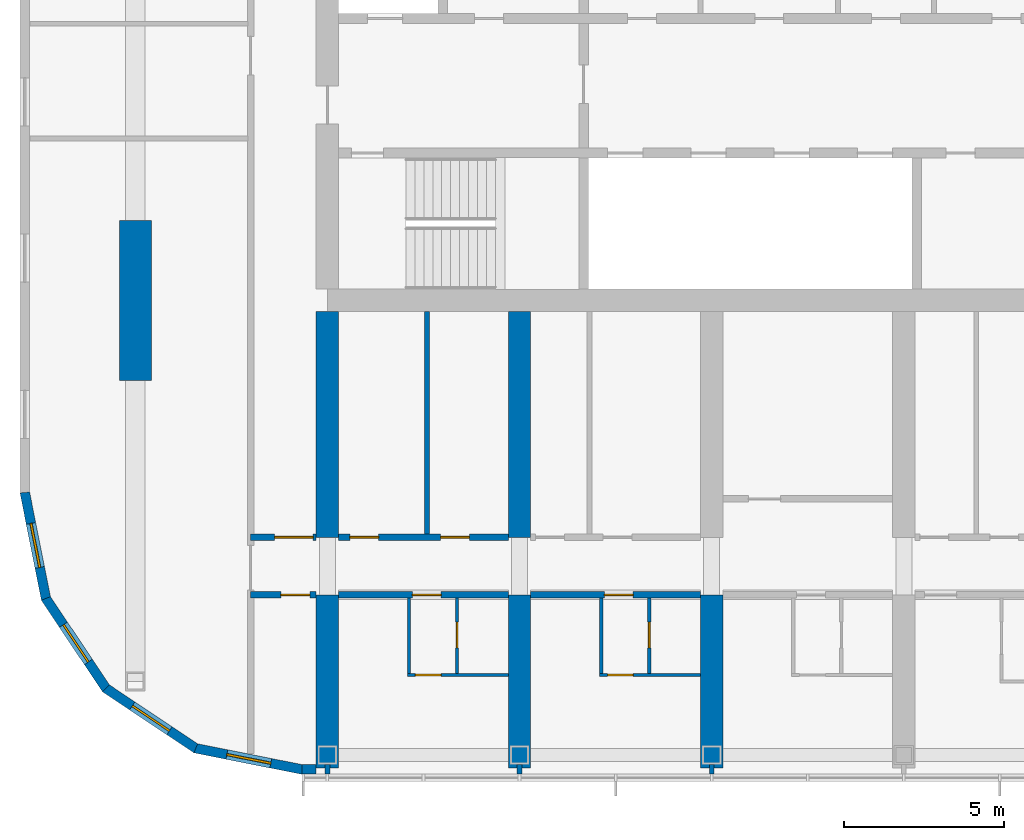
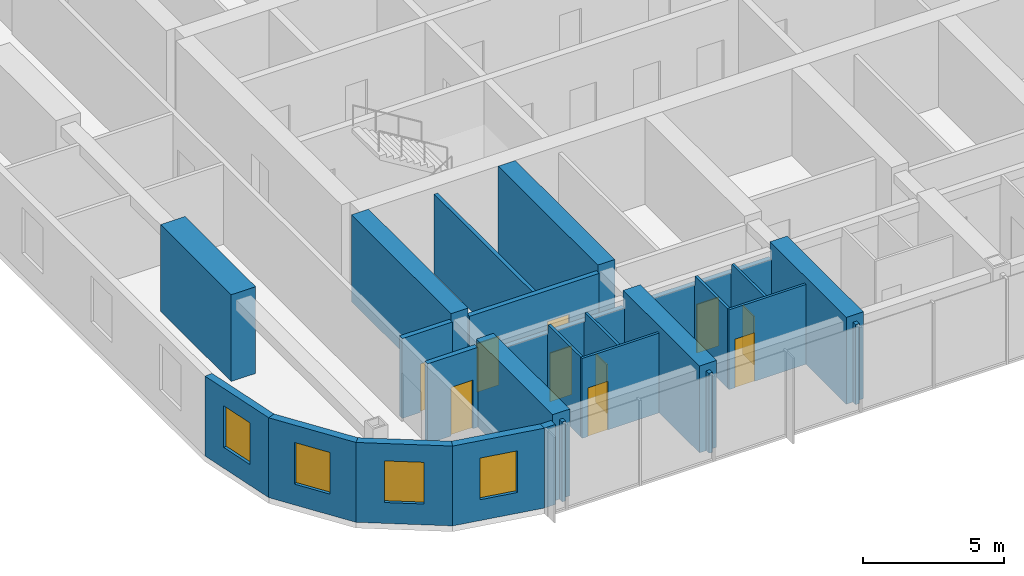
# One storey, part 10 of 23: 26 walls, 10 doors, 4 windows, 14 openings.
"""IFC4 building model written with IfcOpenShell, lengths in metres."""

from ifc_helpers import new_model, si_unit, direction, frame, frame_2d, origin, place, context, subcontext, project, spatial, polyline, rectangle, outline, extrude, material, layer, layer_set, type_object, element, fill, save


model = new_model("IFC4")

# Units and contexts
model_context = context("Model", 3, precision=1e-05, world=origin(), true_north=direction((0.0, 1.0)))
body_context = subcontext(model_context, "Body", "Model", "MODEL_VIEW")
ifc_project = project(units=[si_unit("LENGTHUNIT", "METRE"), si_unit("AREAUNIT", "SQUARE_METRE"), si_unit("VOLUMEUNIT", "CUBIC_METRE"), si_unit("PLANEANGLEUNIT", "RADIAN"), si_unit("MASSUNIT", "GRAM", prefix="KILO")], contexts=[model_context])

# Site, building, storey
site_placement = place(None, origin())
site = spatial("IfcSite", under=ifc_project, at=site_placement, CompositionType="ELEMENT")
building_placement = place(site_placement, origin())
building = spatial("IfcBuilding", under=site, at=building_placement, Name="Orbita Commons", CompositionType="ELEMENT")
storey_placement = place(building_placement, frame((0.0, 0.0, 254.050048828125)))
storey = spatial("IfcBuildingStorey", under=building, at=storey_placement, Name="L63", CompositionType="ELEMENT", Elevation=254.050048828125)

# Wall, opening, door
ifc_material_1 = material(Name="Concrete blockwork", Category="masonry")
ifc_layer_1 = layer(ifc_material_1, 0.199951171875)
ifc_layer_set_1 = layer_set([ifc_layer_1], Name="Concrete blockwork")
wall_type_1 = type_object("IfcWallType", Name="Corridor wall 200 blockwork", PredefinedType="SOLIDWALL", material=ifc_layer_set_1)
wall_1_placement = place(storey_placement, frame((15.60009765625, 16.60009765625, 0.0), z_axis=(0.0, 0.0, 1.0), x_axis=(1.0, 0.0, 0.0)))
wall_1 = element("IfcWall", 1, at=wall_1_placement, inside=storey, type_object=wall_type_1, Name="Corridor wall 200 blockwork L63", PredefinedType="SOLIDWALL", context=body_context, shape_type="SweptSolid", body=[
    extrude(rectangle(XDim=2.0498046875, YDim=0.199951171875, at=frame_2d((1.02490234375, 0.0))), origin(), (0.0, 0.0, 1.0), 3.449951171875),
])
opening_1_placement = place(wall_1_placement, frame((0.949951171875, 0.0, 0.0)))
opening_1 = element("IfcOpeningElement", 2, at=opening_1_placement, cuts=wall_1, Name="Opening D05", PredefinedType="OPENING", context=body_context, shape_type="SweptSolid", body=[
    extrude(rectangle(XDim=0.89990234375, YDim=2.10009765625, at=frame_2d((0.449951171875, 1.050048828125))), frame((0.0, 0.10986328125, 0.0), z_axis=(0.0, -1.0, 0.0), x_axis=(1.0, 0.0, 0.0)), (0.0, 0.0, 1.0), 0.219970703125),
])
ifc_material_2 = material(Name="Steel-faced fire door leaf", Category="steel")
door_type_1 = type_object("IfcDoorType", Name="Service door 20 min 900x2100", OperationType="SINGLE_SWING_LEFT", PredefinedType="DOOR", material=ifc_material_2)
door_1_placement = place(opening_1_placement, origin())
door_1 = element("IfcDoor", 3, at=door_1_placement, inside=storey, type_object=door_type_1, Name="Linen store L63-KWS door", OperationType="SINGLE_SWING_LEFT", OverallHeight=2.10009765625, OverallWidth=0.89990234375, PredefinedType="DOOR", context=body_context, shape_type="SweptSolid", body=[
    extrude(rectangle(XDim=0.89990234375, YDim=2.10009765625, at=frame_2d((0.449951171875, 1.050048828125))), frame((0.0, 0.02490234375, 0.0), z_axis=(0.0, -1.0, 0.0), x_axis=(1.0, 0.0, 0.0)), (0.0, 0.0, 1.0), 0.050048828125),
])
fill(opening_1, door_1)

wall_2_placement = place(storey_placement, frame((18.35009765625, 16.60009765625, 0.0), z_axis=(0.0, 0.0, 1.0), x_axis=(1.0, 0.0, 0.0)))
wall_2 = element("IfcWall", 4, at=wall_2_placement, inside=storey, type_object=wall_type_1, Name="Corridor wall 200 blockwork L63", PredefinedType="SOLIDWALL", context=body_context, shape_type="SweptSolid", body=[
    extrude(outline(polyline([(0.0, 0.0), (5.2998046875, 0.0), (5.300048828125, 3.050048828125), (0.0, 3.050048828125), (0.0, 0.0)])), frame((0.0, 0.10009765625, 0.0), z_axis=(0.0, -1.0, 0.0), x_axis=(1.0, 0.0, 0.0)), (0.0, 0.0, 1.0), 0.199951171875),
])
opening_2_placement = place(wall_2_placement, frame((2.300048828125, 0.0, 0.0)))
opening_2 = element("IfcOpeningElement", 5, at=opening_2_placement, cuts=wall_2, Name="Opening D11", PredefinedType="OPENING", context=body_context, shape_type="SweptSolid", body=[
    extrude(rectangle(XDim=0.89990234375, YDim=2.10009765625, at=frame_2d((0.449951171875, 1.050048828125))), frame((0.0, 0.10986328125, 0.0), z_axis=(0.0, -1.0, 0.0), x_axis=(1.0, 0.0, 0.0)), (0.0, 0.0, 1.0), 0.219970703125),
])
ifc_material_3 = material(Name="Steel-faced fire door leaf", Category="steel")
door_type_2 = type_object("IfcDoorType", Name="Corridor door 20 min 900x2100", OperationType="SINGLE_SWING_LEFT", PredefinedType="DOOR", material=ifc_material_3)
door_2_placement = place(opening_2_placement, origin())
door_2 = element("IfcDoor", 6, at=door_2_placement, inside=storey, type_object=door_type_2, Name="Studio flat L63-S00 entrance door", OperationType="SINGLE_SWING_LEFT", OverallHeight=2.10009765625, OverallWidth=0.89990234375, PredefinedType="DOOR", context=body_context, shape_type="SweptSolid", body=[
    extrude(rectangle(XDim=0.89990234375, YDim=2.10009765625, at=frame_2d((0.449951171875, 1.050048828125))), frame((0.0, 0.02490234375, 0.0), z_axis=(0.0, -1.0, 0.0), x_axis=(1.0, 0.0, 0.0)), (0.0, 0.0, 1.0), 0.050048828125),
])
fill(opening_2, door_2)

wall_3_placement = place(storey_placement, frame((24.35009765625, 16.60009765625, 0.0), z_axis=(0.0, 0.0, 1.0), x_axis=(1.0, 0.0, 0.0)))
wall_3 = element("IfcWall", 7, at=wall_3_placement, inside=storey, type_object=wall_type_1, Name="Corridor wall 200 blockwork L63", PredefinedType="SOLIDWALL", context=body_context, shape_type="SweptSolid", body=[
    extrude(outline(polyline([(0.0, 0.0), (5.2998046875, 0.0), (5.300048828125, 3.050048828125), (0.0, 3.050048828125), (0.0, 0.0)])), frame((0.0, 0.10009765625, 0.0), z_axis=(0.0, -1.0, 0.0), x_axis=(1.0, 0.0, 0.0)), (0.0, 0.0, 1.0), 0.199951171875),
])
opening_3_placement = place(wall_3_placement, frame((2.300048828125, 0.0, 0.0)))
opening_3 = element("IfcOpeningElement", 8, at=opening_3_placement, cuts=wall_3, Name="Opening D11", PredefinedType="OPENING", context=body_context, shape_type="SweptSolid", body=[
    extrude(rectangle(XDim=0.89990234375, YDim=2.10009765625, at=frame_2d((0.449951171875, 1.050048828125))), frame((0.0, 0.10986328125, 0.0), z_axis=(0.0, -1.0, 0.0), x_axis=(1.0, 0.0, 0.0)), (0.0, 0.0, 1.0), 0.219970703125),
])
door_3_placement = place(opening_3_placement, origin())
door_3 = element("IfcDoor", 9, at=door_3_placement, inside=storey, type_object=door_type_2, Name="Studio flat L63-S02 entrance door", OperationType="SINGLE_SWING_LEFT", OverallHeight=2.10009765625, OverallWidth=0.89990234375, PredefinedType="DOOR", context=body_context, shape_type="SweptSolid", body=[
    extrude(rectangle(XDim=0.89990234375, YDim=2.10009765625, at=frame_2d((0.449951171875, 1.050048828125))), frame((0.0, 0.02490234375, 0.0), z_axis=(0.0, -1.0, 0.0), x_axis=(1.0, 0.0, 0.0)), (0.0, 0.0, 1.0), 0.050048828125),
])
fill(opening_3, door_3)

ifc_material_4 = material(Name="Hollow concrete block 200", Category="concrete")
ifc_layer_2 = layer(ifc_material_4, 0.199951171875)
ifc_layer_set_2 = layer_set([ifc_layer_2], Name="Hollow concrete block 200")
wall_type_2 = type_object("IfcWallType", Name="Corridor wall 200 hollow concrete block", PredefinedType="SOLIDWALL", material=ifc_layer_set_2)
wall_4_placement = place(storey_placement, frame((15.60009765625, 18.39990234375, 0.0), z_axis=(0.0, 0.0, 1.0), x_axis=(1.0, 0.0, 0.0)))
wall_4 = element("IfcWall", 10, at=wall_4_placement, inside=storey, type_object=wall_type_2, Name="Corridor wall 200 hollow concrete block L63", PredefinedType="SOLIDWALL", context=body_context, shape_type="SweptSolid", body=[
    extrude(rectangle(XDim=2.0498046875, YDim=0.199951171875, at=frame_2d((1.02490234375, 0.0))), origin(), (0.0, 0.0, 1.0), 3.449951171875),
])
opening_4_placement = place(wall_4_placement, frame((0.75, 0.0, 0.0)))
opening_4 = element("IfcOpeningElement", 11, at=opening_4_placement, cuts=wall_4, Name="Opening D12", PredefinedType="OPENING", context=body_context, shape_type="SweptSolid", body=[
    extrude(rectangle(XDim=1.199951171875, YDim=2.10009765625, at=frame_2d((0.60009765625, 1.050048828125))), frame((0.0, 0.10986328125, 0.0), z_axis=(0.0, -1.0, 0.0), x_axis=(1.0, 0.0, 0.0)), (0.0, 0.0, 1.0), 0.219970703125),
])
ifc_material_5 = material(Name="Steel-faced fire door leaf", Category="steel")
door_type_3 = type_object("IfcDoorType", Name="Double corridor door 20 min 1200x2100", OperationType="DOUBLE_DOOR_SINGLE_SWING", PredefinedType="DOOR", material=ifc_material_5)
door_4_placement = place(opening_4_placement, origin())
door_4 = element("IfcDoor", 12, at=door_4_placement, inside=storey, type_object=door_type_3, Name="Cross corridor doors", OperationType="DOUBLE_DOOR_SINGLE_SWING", OverallHeight=2.10009765625, OverallWidth=1.199951171875, PredefinedType="DOOR", context=body_context, shape_type="SweptSolid", body=[
    extrude(rectangle(XDim=1.199951171875, YDim=2.10009765625, at=frame_2d((0.60009765625, 1.050048828125))), frame((0.0, 0.02490234375, 0.0), z_axis=(0.0, -1.0, 0.0), x_axis=(1.0, 0.0, 0.0)), (0.0, 0.0, 1.0), 0.050048828125),
])
fill(opening_4, door_4)

# Wall, openings, doors
wall_5_placement = place(storey_placement, frame((18.35009765625, 18.39990234375, 0.0), z_axis=(0.0, 0.0, 1.0), x_axis=(1.0, 0.0, 0.0)))
wall_5 = element("IfcWall", 13, at=wall_5_placement, inside=storey, type_object=wall_type_2, Name="Corridor wall 200 hollow concrete block L63", PredefinedType="SOLIDWALL", context=body_context, shape_type="SweptSolid", body=[
    extrude(rectangle(XDim=5.2998046875, YDim=0.199951171875, at=frame_2d((2.64990234375, 0.0))), origin(), (0.0, 0.0, 1.0), 3.449951171875),
])
opening_5_placement = place(wall_5_placement, frame((0.35009765625, 0.0, 0.0)))
opening_5 = element("IfcOpeningElement", 14, at=opening_5_placement, cuts=wall_5, Name="Opening D11", PredefinedType="OPENING", context=body_context, shape_type="SweptSolid", body=[
    extrude(rectangle(XDim=0.89990234375, YDim=2.10009765625, at=frame_2d((0.449951171875, 1.050048828125))), frame((0.0, 0.10986328125, 0.0), z_axis=(0.0, -1.0, 0.0), x_axis=(1.0, 0.0, 0.0)), (0.0, 0.0, 1.0), 0.219970703125),
])
opening_6_placement = place(wall_5_placement, frame((3.18505859375, 0.0, 0.0)))
opening_6 = element("IfcOpeningElement", 15, at=opening_6_placement, cuts=wall_5, Name="Opening D11", PredefinedType="OPENING", context=body_context, shape_type="SweptSolid", body=[
    extrude(rectangle(XDim=0.89990234375, YDim=2.10009765625, at=frame_2d((0.449951171875, 1.050048828125))), frame((0.0, 0.10986328125, 0.0), z_axis=(0.0, -1.0, 0.0), x_axis=(1.0, 0.0, 0.0)), (0.0, 0.0, 1.0), 0.219970703125),
])
door_5_placement = place(opening_5_placement, origin())
door_5 = element("IfcDoor", 16, at=door_5_placement, inside=storey, type_object=door_type_2, Name="Accessible WC and shower room L63-BDS18n door", OperationType="SINGLE_SWING_LEFT", OverallHeight=2.10009765625, OverallWidth=0.89990234375, PredefinedType="DOOR", context=body_context, shape_type="SweptSolid", body=[
    extrude(rectangle(XDim=0.89990234375, YDim=2.10009765625, at=frame_2d((0.449951171875, 1.050048828125))), frame((0.0, 0.02490234375, 0.0), z_axis=(0.0, -1.0, 0.0), x_axis=(1.0, 0.0, 0.0)), (0.0, 0.0, 1.0), 0.050048828125),
])
fill(opening_5, door_5)
door_6_placement = place(opening_6_placement, origin())
door_6 = element("IfcDoor", 17, at=door_6_placement, inside=storey, type_object=door_type_2, Name="Meeting room L63-BDS18 door", OperationType="SINGLE_SWING_LEFT", OverallHeight=2.10009765625, OverallWidth=0.89990234375, PredefinedType="DOOR", context=body_context, shape_type="SweptSolid", body=[
    extrude(rectangle(XDim=0.89990234375, YDim=2.10009765625, at=frame_2d((0.449951171875, 1.050048828125))), frame((0.0, 0.02490234375, 0.0), z_axis=(0.0, -1.0, 0.0), x_axis=(1.0, 0.0, 0.0)), (0.0, 0.0, 1.0), 0.050048828125),
])
fill(opening_6, door_6)

# Walls
ifc_material_6 = material(Name="Concrete C50/60", Category="concrete")
ifc_layer_3 = layer(ifc_material_6, 0.699951171875)
ifc_layer_set_3 = layer_set([ifc_layer_3], Name="Concrete C50/60")
wall_type_3 = type_object("IfcWallType", Name="Cross wall 700 C50/60", PredefinedType="SHEAR", material=ifc_layer_set_3)
wall_6_placement = place(storey_placement, frame((18.0, 11.199951171875, 0.0), z_axis=(0.0, 0.0, 1.0), x_axis=(0.0, 1.0, 0.0)))
element("IfcWall", 18, at=wall_6_placement, inside=storey, type_object=wall_type_3, Name="Cross wall 4 south outer L63", PredefinedType="SHEAR", context=body_context, shape_type="SweptSolid", body=[
    extrude(rectangle(XDim=5.400146484375, YDim=0.699951171875, at=frame_2d((2.7001953125, 0.0))), origin(), (0.0, 0.0, 1.0), 3.75),
])
wall_7_placement = place(storey_placement, frame((18.0, 18.39990234375, 0.0), z_axis=(0.0, 0.0, 1.0), x_axis=(0.0, 1.0, 0.0)))
element("IfcWall", 19, at=wall_7_placement, inside=storey, type_object=wall_type_3, Name="Cross wall 4 south inner L63", PredefinedType="SHEAR", context=body_context, shape_type="SweptSolid", body=[
    extrude(rectangle(XDim=7.050048828125, YDim=0.699951171875, at=frame_2d((3.52490234375, 0.0))), origin(), (0.0, 0.0, 1.0), 3.75),
])
wall_8_placement = place(storey_placement, frame((24.0, 11.199951171875, 0.0), z_axis=(0.0, 0.0, 1.0), x_axis=(0.0, 1.0, 0.0)))
element("IfcWall", 20, at=wall_8_placement, inside=storey, type_object=wall_type_3, Name="Cross wall 5 south outer L63", PredefinedType="SHEAR", context=body_context, shape_type="SweptSolid", body=[
    extrude(rectangle(XDim=5.400146484375, YDim=0.699951171875, at=frame_2d((2.7001953125, 0.0))), origin(), (0.0, 0.0, 1.0), 3.75),
])
wall_9_placement = place(storey_placement, frame((24.0, 18.39990234375, 0.0), z_axis=(0.0, 0.0, 1.0), x_axis=(0.0, 1.0, 0.0)))
element("IfcWall", 21, at=wall_9_placement, inside=storey, type_object=wall_type_3, Name="Cross wall 5 south inner L63", PredefinedType="SHEAR", context=body_context, shape_type="SweptSolid", body=[
    extrude(rectangle(XDim=7.050048828125, YDim=0.699951171875, at=frame_2d((3.52490234375, 0.0))), origin(), (0.0, 0.0, 1.0), 3.75),
])
wall_10_placement = place(storey_placement, frame((30.0, 11.199951171875, 0.0), z_axis=(0.0, 0.0, 1.0), x_axis=(0.0, 1.0, 0.0)))
element("IfcWall", 22, at=wall_10_placement, inside=storey, type_object=wall_type_3, Name="Cross wall 6 south outer L63", PredefinedType="SHEAR", context=body_context, shape_type="SweptSolid", body=[
    extrude(rectangle(XDim=5.400146484375, YDim=0.699951171875, at=frame_2d((2.7001953125, 0.0))), origin(), (0.0, 0.0, 1.0), 3.75),
])

# Wall, opening, door
ifc_material_7 = material(Name="Moisture-resistant plasterboard on steel studs", Category="steel")
ifc_layer_4 = layer(ifc_material_7, 0.10009765625)
ifc_layer_set_4 = layer_set([ifc_layer_4], Name="Moisture-resistant plasterboard on steel studs")
wall_type_4 = type_object("IfcWallType", Name="En-suite partition 100", PredefinedType="PARTITIONING", material=ifc_layer_set_4)
wall_11_placement = place(storey_placement, frame((23.64990234375, 14.10009765625, 0.0), z_axis=(0.0, 0.0, 1.0), x_axis=(-1.0, 0.0, 0.0)))
wall_11 = element("IfcWall", 23, at=wall_11_placement, inside=storey, type_object=wall_type_4, Name="En-suite partition 100 L63", PredefinedType="PARTITIONING", context=body_context, shape_type="SweptSolid", body=[
    extrude(rectangle(XDim=3.14990234375, YDim=0.10009765625, at=frame_2d((1.574951171875, 0.0))), origin(), (0.0, 0.0, 1.0), 3.449951171875),
])
opening_7_placement = place(wall_11_placement, frame((2.10009765625, 0.0, 0.0)))
opening_7 = element("IfcOpeningElement", 24, at=opening_7_placement, cuts=wall_11, Name="Opening D16", PredefinedType="OPENING", context=body_context, shape_type="SweptSolid", body=[
    extrude(rectangle(XDim=0.800048828125, YDim=2.10009765625, at=frame_2d((0.39990234375, 1.050048828125))), frame((0.0, 0.06005859375, 0.0), z_axis=(0.0, -1.0, 0.0), x_axis=(1.0, 0.0, 0.0)), (0.0, 0.0, 1.0), 0.1201171875),
])
ifc_material_8 = material(Name="Laminated timber door leaf", Category="wood")
door_type_4 = type_object("IfcDoorType", Name="En-suite door 800x2100", OperationType="SINGLE_SWING_RIGHT", PredefinedType="DOOR", material=ifc_material_8)
door_7_placement = place(opening_7_placement, origin())
door_7 = element("IfcDoor", 25, at=door_7_placement, inside=storey, type_object=door_type_4, Name="Studio flat L63-S00 door", OperationType="SINGLE_SWING_RIGHT", OverallHeight=2.10009765625, OverallWidth=0.800048828125, PredefinedType="DOOR", context=body_context, shape_type="SweptSolid", body=[
    extrude(rectangle(XDim=0.800048828125, YDim=2.10009765625, at=frame_2d((0.39990234375, 1.050048828125))), frame((0.0, 0.02490234375, 0.0), z_axis=(0.0, -1.0, 0.0), x_axis=(1.0, 0.0, 0.0)), (0.0, 0.0, 1.0), 0.050048828125),
])
fill(opening_7, door_7)

# Wall
wall_12_placement = place(storey_placement, frame((20.550048828125, 14.14990234375, 0.0), z_axis=(0.0, 0.0, 1.0), x_axis=(0.0, 1.0, 0.0)))
element("IfcWall", 26, at=wall_12_placement, inside=storey, type_object=wall_type_4, Name="En-suite partition 100 L63", PredefinedType="PARTITIONING", context=body_context, shape_type="SweptSolid", body=[
    extrude(outline(polyline([(0.0, 0.0), (2.35009765625, 0.0), (2.35009765625, 3.050048828125), (2.302001953125, 3.050048828125), (2.300048828125, 3.449951171875), (0.0, 3.449951171875), (0.0, 0.0)])), frame((0.0, 0.050048828125, 0.0), z_axis=(0.0, -1.0, 0.0), x_axis=(1.0, 0.0, 0.0)), (0.0, 0.0, 1.0), 0.10009765625),
])

# Wall, opening, door
wall_13_placement = place(storey_placement, frame((22.050048828125, 14.14990234375, 0.0), z_axis=(0.0, 0.0, 1.0), x_axis=(0.0, 1.0, 0.0)))
wall_13 = element("IfcWall", 27, at=wall_13_placement, inside=storey, type_object=wall_type_4, Name="En-suite partition 100 L63", PredefinedType="PARTITIONING", context=body_context, shape_type="SweptSolid", body=[
    extrude(outline(polyline([(0.0, 0.0), (2.35009765625, 0.0), (2.35009765625, 3.050048828125), (2.302001953125, 3.050048828125), (2.300048828125, 3.449951171875), (0.0, 3.449951171875), (0.0, 0.0)])), frame((0.0, 0.050048828125, 0.0), z_axis=(0.0, -1.0, 0.0), x_axis=(1.0, 0.0, 0.0)), (0.0, 0.0, 1.0), 0.10009765625),
])
opening_8_placement = place(wall_13_placement, frame((0.800048828125, 0.0, 0.0)))
opening_8 = element("IfcOpeningElement", 28, at=opening_8_placement, cuts=wall_13, Name="Opening D16", PredefinedType="OPENING", context=body_context, shape_type="SweptSolid", body=[
    extrude(rectangle(XDim=0.800048828125, YDim=2.10009765625, at=frame_2d((0.39990234375, 1.050048828125))), frame((0.0, 0.06005859375, 0.0), z_axis=(0.0, -1.0, 0.0), x_axis=(1.0, 0.0, 0.0)), (0.0, 0.0, 1.0), 0.1201171875),
])
door_8_placement = place(opening_8_placement, origin())
door_8 = element("IfcDoor", 29, at=door_8_placement, inside=storey, type_object=door_type_4, Name="Studio flat shower room L63-S00 door", OperationType="SINGLE_SWING_RIGHT", OverallHeight=2.10009765625, OverallWidth=0.800048828125, PredefinedType="DOOR", context=body_context, shape_type="SweptSolid", body=[
    extrude(rectangle(XDim=0.800048828125, YDim=2.10009765625, at=frame_2d((0.39990234375, 1.050048828125))), frame((0.0, 0.02490234375, 0.0), z_axis=(0.0, -1.0, 0.0), x_axis=(1.0, 0.0, 0.0)), (0.0, 0.0, 1.0), 0.050048828125),
])
fill(opening_8, door_8)

wall_14_placement = place(storey_placement, frame((29.64990234375, 14.10009765625, 0.0), z_axis=(0.0, 0.0, 1.0), x_axis=(-1.0, 0.0, 0.0)))
wall_14 = element("IfcWall", 30, at=wall_14_placement, inside=storey, type_object=wall_type_4, Name="En-suite partition 100 L63", PredefinedType="PARTITIONING", context=body_context, shape_type="SweptSolid", body=[
    extrude(rectangle(XDim=3.14990234375, YDim=0.10009765625, at=frame_2d((1.574951171875, 0.0))), origin(), (0.0, 0.0, 1.0), 3.449951171875),
])
opening_9_placement = place(wall_14_placement, frame((2.10009765625, 0.0, 0.0)))
opening_9 = element("IfcOpeningElement", 31, at=opening_9_placement, cuts=wall_14, Name="Opening D16", PredefinedType="OPENING", context=body_context, shape_type="SweptSolid", body=[
    extrude(rectangle(XDim=0.800048828125, YDim=2.10009765625, at=frame_2d((0.39990234375, 1.050048828125))), frame((0.0, 0.06005859375, 0.0), z_axis=(0.0, -1.0, 0.0), x_axis=(1.0, 0.0, 0.0)), (0.0, 0.0, 1.0), 0.1201171875),
])
door_9_placement = place(opening_9_placement, origin())
door_9 = element("IfcDoor", 32, at=door_9_placement, inside=storey, type_object=door_type_4, Name="Studio flat L63-S02 door", OperationType="SINGLE_SWING_RIGHT", OverallHeight=2.10009765625, OverallWidth=0.800048828125, PredefinedType="DOOR", context=body_context, shape_type="SweptSolid", body=[
    extrude(rectangle(XDim=0.800048828125, YDim=2.10009765625, at=frame_2d((0.39990234375, 1.050048828125))), frame((0.0, 0.02490234375, 0.0), z_axis=(0.0, -1.0, 0.0), x_axis=(1.0, 0.0, 0.0)), (0.0, 0.0, 1.0), 0.050048828125),
])
fill(opening_9, door_9)

# Wall
wall_15_placement = place(storey_placement, frame((26.550048828125, 14.14990234375, 0.0), z_axis=(0.0, 0.0, 1.0), x_axis=(0.0, 1.0, 0.0)))
element("IfcWall", 33, at=wall_15_placement, inside=storey, type_object=wall_type_4, Name="En-suite partition 100 L63", PredefinedType="PARTITIONING", context=body_context, shape_type="SweptSolid", body=[
    extrude(outline(polyline([(0.0, 0.0), (2.35009765625, 0.0), (2.35009765625, 3.050048828125), (2.302001953125, 3.050048828125), (2.300048828125, 3.449951171875), (0.0, 3.449951171875), (0.0, 0.0)])), frame((0.0, 0.050048828125, 0.0), z_axis=(0.0, -1.0, 0.0), x_axis=(1.0, 0.0, 0.0)), (0.0, 0.0, 1.0), 0.10009765625),
])

# Wall, opening, door
wall_16_placement = place(storey_placement, frame((28.050048828125, 14.14990234375, 0.0), z_axis=(0.0, 0.0, 1.0), x_axis=(0.0, 1.0, 0.0)))
wall_16 = element("IfcWall", 34, at=wall_16_placement, inside=storey, type_object=wall_type_4, Name="En-suite partition 100 L63", PredefinedType="PARTITIONING", context=body_context, shape_type="SweptSolid", body=[
    extrude(outline(polyline([(0.0, 0.0), (2.35009765625, 0.0), (2.35009765625, 3.050048828125), (2.302001953125, 3.050048828125), (2.300048828125, 3.449951171875), (0.0, 3.449951171875), (0.0, 0.0)])), frame((0.0, 0.050048828125, 0.0), z_axis=(0.0, -1.0, 0.0), x_axis=(1.0, 0.0, 0.0)), (0.0, 0.0, 1.0), 0.10009765625),
])
opening_10_placement = place(wall_16_placement, frame((0.800048828125, 0.0, 0.0)))
opening_10 = element("IfcOpeningElement", 35, at=opening_10_placement, cuts=wall_16, Name="Opening D16", PredefinedType="OPENING", context=body_context, shape_type="SweptSolid", body=[
    extrude(rectangle(XDim=0.800048828125, YDim=2.10009765625, at=frame_2d((0.39990234375, 1.050048828125))), frame((0.0, 0.06005859375, 0.0), z_axis=(0.0, -1.0, 0.0), x_axis=(1.0, 0.0, 0.0)), (0.0, 0.0, 1.0), 0.1201171875),
])
door_10_placement = place(opening_10_placement, origin())
door_10 = element("IfcDoor", 36, at=door_10_placement, inside=storey, type_object=door_type_4, Name="Studio flat shower room L63-S02 door", OperationType="SINGLE_SWING_RIGHT", OverallHeight=2.10009765625, OverallWidth=0.800048828125, PredefinedType="DOOR", context=body_context, shape_type="SweptSolid", body=[
    extrude(rectangle(XDim=0.800048828125, YDim=2.10009765625, at=frame_2d((0.39990234375, 1.050048828125))), frame((0.0, 0.02490234375, 0.0), z_axis=(0.0, -1.0, 0.0), x_axis=(1.0, 0.0, 0.0)), (0.0, 0.0, 1.0), 0.050048828125),
])
fill(opening_10, door_10)

# Walls
ifc_material_9 = material(Name="Concrete C50/60", Category="concrete")
ifc_layer_5 = layer(ifc_material_9, 1.0)
ifc_layer_set_5 = layer_set([ifc_layer_5], Name="Concrete C50/60")
wall_type_5 = type_object("IfcWallType", Name="End pier 1000x5000 C50/60", PredefinedType="SHEAR", material=ifc_layer_set_5)
wall_17_placement = place(storey_placement, frame((12.0, 23.300048828125, 0.0), z_axis=(0.0, 0.0, 1.0), x_axis=(0.0, 1.0, 0.0)))
element("IfcWall", 37, at=wall_17_placement, inside=storey, type_object=wall_type_5, Name="End pier 3/C L63", PredefinedType="SHEAR", context=body_context, shape_type="SweptSolid", body=[
    extrude(rectangle(XDim=5.0, YDim=1.0, at=frame_2d((2.5, 0.0))), origin(), (0.0, 0.0, 1.0), 3.75),
])
ifc_material_10 = material(Name="Gypsum plasterboard on steel studs", Category="steel")
ifc_layer_6 = layer(ifc_material_10, 0.14990234375)
ifc_layer_set_6 = layer_set([ifc_layer_6], Name="Gypsum plasterboard on steel studs")
wall_type_6 = type_object("IfcWallType", Name="Partition 150 plasterboard", PredefinedType="PARTITIONING", material=ifc_layer_set_6)
wall_18_placement = place(storey_placement, frame((21.110107421875, 18.5, 0.0), z_axis=(0.0, 0.0, 1.0), x_axis=(0.0, 1.0, 0.0)))
element("IfcWall", 38, at=wall_18_placement, inside=storey, type_object=wall_type_6, Name="Partition 150 plasterboard L63", PredefinedType="PARTITIONING", context=body_context, shape_type="SweptSolid", body=[
    extrude(rectangle(XDim=6.949951171875, YDim=0.14990234375, at=frame_2d((3.47509765625, 0.0))), origin(), (0.0, 0.0, 1.0), 3.449951171875),
])
for number, where, z_axis, x_axis, name in (
    (39, (18.0, 11.300048828125, 0.0), (0.0, 0.0, 1.0), (0.0, -1.0, 0.0), "Partition 150 plasterboard L63"),
    (40, (24.0, 11.300048828125, 0.0), (0.0, 0.0, 1.0), (0.0, -1.0, 0.0), "Partition 150 plasterboard L63"),
    (41, (30.0, 11.300048828125, 0.0), (0.0, 0.0, 1.0), (0.0, -1.0, 0.0), "Partition 150 plasterboard L63"),
):
    element("IfcWall", number, at=place(storey_placement, frame(where, z_axis=z_axis, x_axis=x_axis)), inside=storey, type_object=wall_type_6, Name=name, PredefinedType="PARTITIONING", context=body_context, shape_type="SweptSolid", body=[
        extrude(rectangle(XDim=0.2900390625, YDim=0.14990234375, at=frame_2d((0.14501953125, 0.0))), origin(), (0.0, 0.0, 1.0), 3.449951171875),
    ])

# Wall, opening, window
ifc_material_11 = material(Name="Precast concrete C40/50, white board-marked finish", Category="concrete")
ifc_layer_7 = layer(ifc_material_11, 0.300048828125)
ifc_layer_set_7 = layer_set([ifc_layer_7], Name="Precast concrete C40/50, white board-marked finish")
wall_type_7 = type_object("IfcWallType", Name="Precast concrete end shield 300", PredefinedType="SOLIDWALL", material=ifc_layer_set_7)
wall_19_placement = place(storey_placement, frame((8.550048828125, 19.800048828125, 0.0), z_axis=(0.0, 0.0, 1.0), x_axis=(0.19508664885, -0.980786011034, 0.0)))
wall_19 = element("IfcWall", 42, at=wall_19_placement, inside=storey, type_object=wall_type_7, Name="End shield SW chord 1 L63", PredefinedType="SOLIDWALL", context=body_context, shape_type="SweptSolid", body=[
    extrude(outline(polyline([(-0.014892578125, -0.14990234375), (3.405029296875, -0.14990234375), (3.345458984375, 0.14990234375), (0.014892578125, 0.14990234375), (-0.014892578125, -0.14990234375)])), origin(), (0.0, 0.0, 1.0), 3.449951171875),
])
opening_11_placement = place(wall_19_placement, frame((0.987548828125, 0.0, 0.89990234375)))
opening_11 = element("IfcOpeningElement", 43, at=opening_11_placement, cuts=wall_19, Name="Opening W02", PredefinedType="OPENING", context=body_context, shape_type="SweptSolid", body=[
    extrude(rectangle(XDim=1.39990234375, YDim=1.800048828125, at=frame_2d((0.699951171875, 0.89990234375))), frame((0.0, 0.159912109375, 0.0), z_axis=(0.0, -1.0, 0.0), x_axis=(1.0, 0.0, 0.0)), (0.0, 0.0, 1.0), 0.320068359375),
])
ifc_material_12 = material(Name="Aluminium frame, clear double glazing", Category="aluminium")
window_type = type_object("IfcWindowType", Name="Deep-set window 1400x1800", PartitioningType="SINGLE_PANEL", PredefinedType="WINDOW", material=ifc_material_12)
window_1_placement = place(opening_11_placement, origin())
window_1 = element("IfcWindow", 44, at=window_1_placement, inside=storey, type_object=window_type, Name="Window L63-SW0", OverallHeight=1.800048828125, OverallWidth=1.39990234375, PartitioningType="SINGLE_PANEL", PredefinedType="WINDOW", context=body_context, shape_type="SweptSolid", body=[
    extrude(rectangle(XDim=1.39990234375, YDim=1.800048828125, at=frame_2d((0.699951171875, 0.89990234375))), frame((0.0, 0.030029296875, 0.0), z_axis=(0.0, -1.0, 0.0), x_axis=(1.0, 0.0, 0.0)), (0.0, 0.0, 1.0), 0.06005859375),
])
fill(opening_11, window_1)

wall_20_placement = place(storey_placement, frame((9.20849609375, 16.48974609375, 0.0), z_axis=(0.0, 0.0, 1.0), x_axis=(0.555567969291, -0.831471124873, 0.0)))
wall_20 = element("IfcWall", 45, at=wall_20_placement, inside=storey, type_object=wall_type_7, Name="End shield SW chord 2 L63", PredefinedType="SOLIDWALL", context=body_context, shape_type="SweptSolid", body=[
    extrude(outline(polyline([(-0.02978515625, -0.14990234375), (3.40478515625, -0.14990234375), (3.34521484375, 0.14990234375), (0.02978515625, 0.14990234375), (-0.02978515625, -0.14990234375)])), origin(), (0.0, 0.0, 1.0), 3.449951171875),
])
opening_12_placement = place(wall_20_placement, frame((0.987548828125, 0.0, 0.89990234375)))
opening_12 = element("IfcOpeningElement", 46, at=opening_12_placement, cuts=wall_20, Name="Opening W02", PredefinedType="OPENING", context=body_context, shape_type="SweptSolid", body=[
    extrude(rectangle(XDim=1.39990234375, YDim=1.800048828125, at=frame_2d((0.699951171875, 0.89990234375))), frame((0.0, 0.159912109375, 0.0), z_axis=(0.0, -1.0, 0.0), x_axis=(1.0, 0.0, 0.0)), (0.0, 0.0, 1.0), 0.320068359375),
])
window_2_placement = place(opening_12_placement, origin())
window_2 = element("IfcWindow", 47, at=window_2_placement, inside=storey, type_object=window_type, Name="Window L63-SW1", OverallHeight=1.800048828125, OverallWidth=1.39990234375, PartitioningType="SINGLE_PANEL", PredefinedType="WINDOW", context=body_context, shape_type="SweptSolid", body=[
    extrude(rectangle(XDim=1.39990234375, YDim=1.800048828125, at=frame_2d((0.699951171875, 0.89990234375))), frame((0.0, 0.030029296875, 0.0), z_axis=(0.0, -1.0, 0.0), x_axis=(1.0, 0.0, 0.0)), (0.0, 0.0, 1.0), 0.06005859375),
])
fill(opening_12, window_2)

wall_21_placement = place(storey_placement, frame((11.08349609375, 13.68359375, 0.0), z_axis=(0.0, 0.0, 1.0), x_axis=(0.831460037396, -0.555584562613, 0.0)))
wall_21 = element("IfcWall", 48, at=wall_21_placement, inside=storey, type_object=wall_type_7, Name="End shield SW chord 3 L63", PredefinedType="SOLIDWALL", context=body_context, shape_type="SweptSolid", body=[
    extrude(outline(polyline([(-0.02978515625, -0.14990234375), (3.405029296875, -0.14990234375), (3.345458984375, 0.14990234375), (0.02978515625, 0.14990234375), (-0.02978515625, -0.14990234375)])), origin(), (0.0, 0.0, 1.0), 3.449951171875),
])
opening_13_placement = place(wall_21_placement, frame((0.987548828125, 0.0, 0.89990234375)))
opening_13 = element("IfcOpeningElement", 49, at=opening_13_placement, cuts=wall_21, Name="Opening W02", PredefinedType="OPENING", context=body_context, shape_type="SweptSolid", body=[
    extrude(rectangle(XDim=1.39990234375, YDim=1.800048828125, at=frame_2d((0.699951171875, 0.89990234375))), frame((0.0, 0.159912109375, 0.0), z_axis=(0.0, -1.0, 0.0), x_axis=(1.0, 0.0, 0.0)), (0.0, 0.0, 1.0), 0.320068359375),
])
window_3_placement = place(opening_13_placement, origin())
window_3 = element("IfcWindow", 50, at=window_3_placement, inside=storey, type_object=window_type, Name="Window L63-SW2", OverallHeight=1.800048828125, OverallWidth=1.39990234375, PartitioningType="SINGLE_PANEL", PredefinedType="WINDOW", context=body_context, shape_type="SweptSolid", body=[
    extrude(rectangle(XDim=1.39990234375, YDim=1.800048828125, at=frame_2d((0.699951171875, 0.89990234375))), frame((0.0, 0.030029296875, 0.0), z_axis=(0.0, -1.0, 0.0), x_axis=(1.0, 0.0, 0.0)), (0.0, 0.0, 1.0), 0.06005859375),
])
fill(opening_13, window_3)

wall_22_placement = place(storey_placement, frame((13.889892578125, 11.808349609375, 0.0), z_axis=(0.0, 0.0, 1.0), x_axis=(0.98078325777, -0.195100490205, 0.0)))
wall_22 = element("IfcWall", 51, at=wall_22_placement, inside=storey, type_object=wall_type_7, Name="End shield SW chord 4 L63", PredefinedType="SOLIDWALL", context=body_context, shape_type="SweptSolid", body=[
    extrude(outline(polyline([(-0.02978515625, -0.14990234375), (3.40478515625, -0.14990234375), (3.34521484375, 0.14990234375), (0.02978515625, 0.14990234375), (-0.02978515625, -0.14990234375)])), origin(), (0.0, 0.0, 1.0), 3.449951171875),
])
opening_14_placement = place(wall_22_placement, frame((0.987548828125, 0.0, 0.89990234375)))
opening_14 = element("IfcOpeningElement", 52, at=opening_14_placement, cuts=wall_22, Name="Opening W02", PredefinedType="OPENING", context=body_context, shape_type="SweptSolid", body=[
    extrude(rectangle(XDim=1.39990234375, YDim=1.800048828125, at=frame_2d((0.699951171875, 0.89990234375))), frame((0.0, 0.159912109375, 0.0), z_axis=(0.0, -1.0, 0.0), x_axis=(1.0, 0.0, 0.0)), (0.0, 0.0, 1.0), 0.320068359375),
])
window_4_placement = place(opening_14_placement, origin())
window_4 = element("IfcWindow", 53, at=window_4_placement, inside=storey, type_object=window_type, Name="Window L63-SW3", OverallHeight=1.800048828125, OverallWidth=1.39990234375, PartitioningType="SINGLE_PANEL", PredefinedType="WINDOW", context=body_context, shape_type="SweptSolid", body=[
    extrude(rectangle(XDim=1.39990234375, YDim=1.800048828125, at=frame_2d((0.699951171875, 0.89990234375))), frame((0.0, 0.030029296875, 0.0), z_axis=(0.0, -1.0, 0.0), x_axis=(1.0, 0.0, 0.0)), (0.0, 0.0, 1.0), 0.06005859375),
])
fill(opening_14, window_4)

# Wall
wall_23_placement = place(storey_placement, frame((17.199951171875, 11.14990234375, 0.0), z_axis=(0.0, 0.0, 1.0), x_axis=(1.0, 0.0, 0.0)))
element("IfcWall", 54, at=wall_23_placement, inside=storey, type_object=wall_type_7, Name="End shield SW closer L63", PredefinedType="SOLIDWALL", context=body_context, shape_type="SweptSolid", body=[
    extrude(rectangle(XDim=0.449951171875, YDim=0.300048828125, at=frame_2d((0.22509765625, 0.0))), origin(), (0.0, 0.0, 1.0), 3.449951171875),
])

save(model, "model.ifc")
